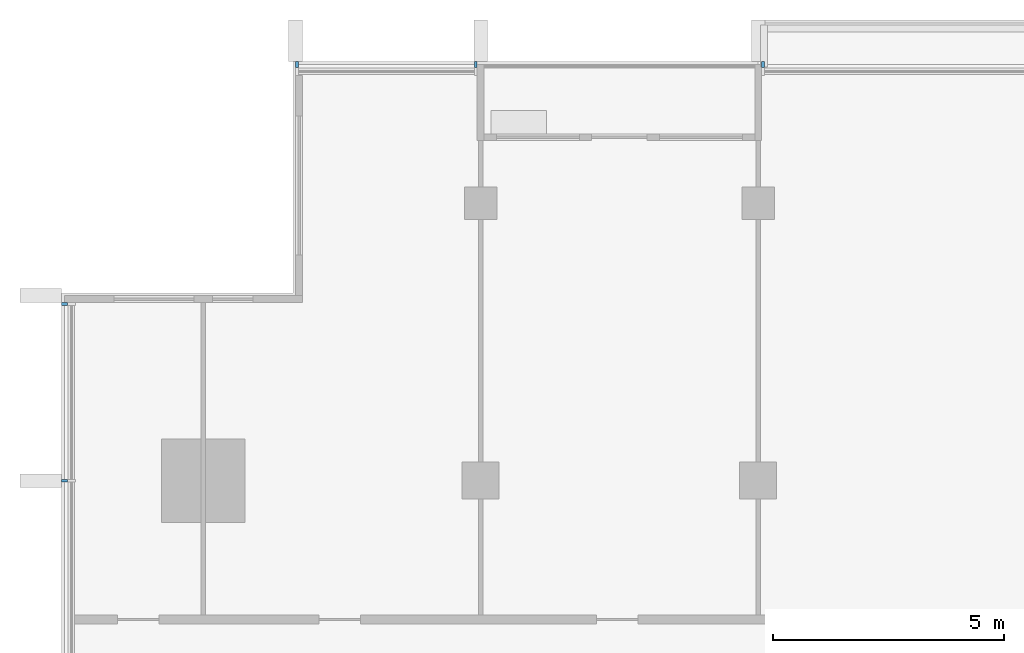
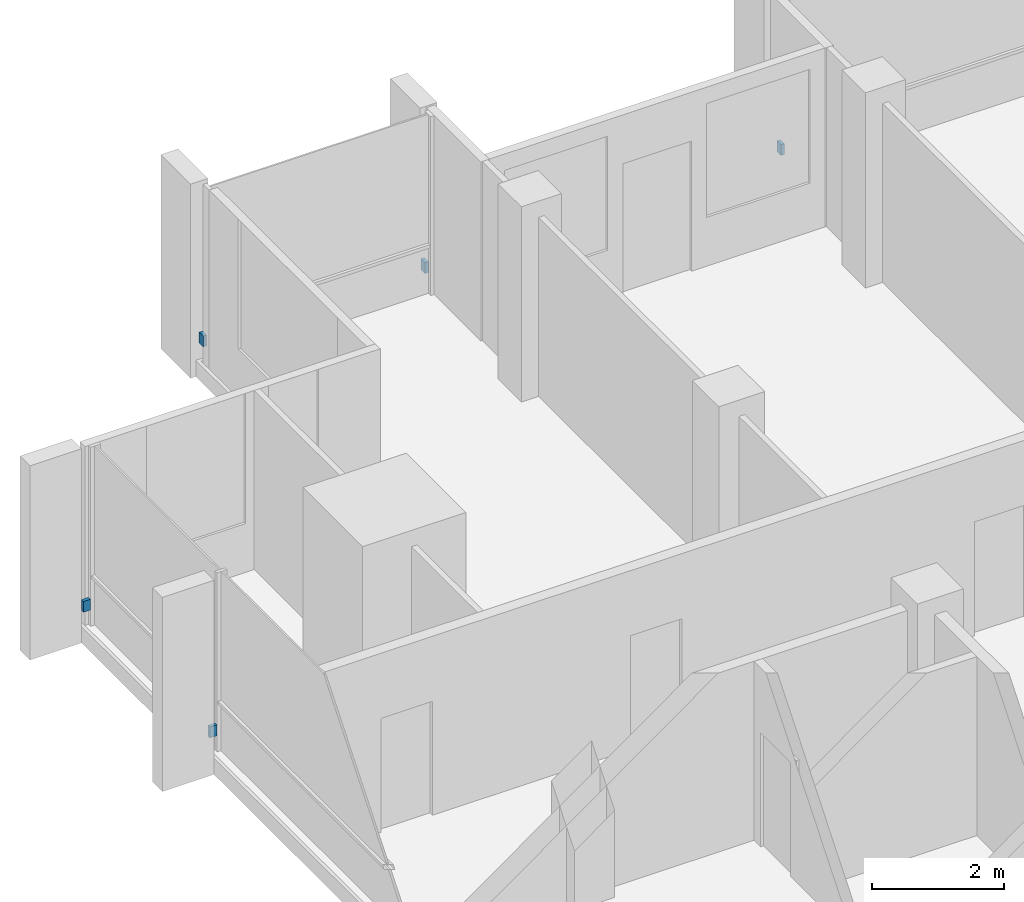
# One storey, part 13 of 15: 5 discrete accessories.
"""IFC4 building model written with IfcOpenShell, lengths in metres."""

from ifc_helpers import new_model, si_unit, direction, frame, origin, origin_2d, place, context, subcontext, project, spatial, rectangle, extrude, material, type_object, element, save


model = new_model("IFC4")

# Units and contexts
model_context = context("Model", 3, precision=1e-05, world=origin(), true_north=direction((0.0, 1.0)))
body_context = subcontext(model_context, "Body", "Model", "MODEL_VIEW")
ifc_project = project(units=[si_unit("LENGTHUNIT", "METRE"), si_unit("AREAUNIT", "SQUARE_METRE"), si_unit("VOLUMEUNIT", "CUBIC_METRE"), si_unit("PLANEANGLEUNIT", "RADIAN"), si_unit("MASSUNIT", "GRAM", prefix="KILO")], contexts=[model_context])

# Site, building, storey
site_placement = place(None, origin())
site = spatial("IfcSite", under=ifc_project, at=site_placement, CompositionType="ELEMENT")
building_placement = place(site_placement, origin())
building = spatial("IfcBuilding", under=site, at=building_placement, Name="Finial Court Residences", CompositionType="ELEMENT")
storey_placement = place(building_placement, frame((0.0, 0.0, 269.89990234375)))
storey = spatial("IfcBuildingStorey", under=building, at=storey_placement, Name="L68", CompositionType="ELEMENT", Elevation=269.89990234375)

# Discrete accessories
ifc_material = material(Name="Stainless steel 316", Category="steel")
discrete_accessory_type = type_object("IfcDiscreteAccessoryType", Name="Fin bracket, stainless steel 60 x 122 x 200", PredefinedType="BRACKET", material=ifc_material)
for number, where, z_axis, x_axis, name in (
    (1, (-14.469970703125, 16.498779296875, 0.30029296875), (0.0, 0.0, 1.0), (1.0, 0.0, 0.0), "E-L68-FIN-N1-BRK"),
    (2, (-10.60498046875, 16.498779296875, 0.30029296875), (0.0, 0.0, 1.0), (1.0, 0.0, 0.0), "E-L68-FIN-N2-BRK"),
    (3, (-4.39501953125, 16.498779296875, 0.30029296875), (0.0, 0.0, 1.0), (1.0, 0.0, 0.0), "E-L68-FIN-N3-BRK"),
):
    element("IfcDiscreteAccessory", number, at=place(storey_placement, frame(where, z_axis=z_axis, x_axis=x_axis)), inside=storey, type_object=discrete_accessory_type, Name=name, PredefinedType="BRACKET", context=body_context, shape_type="SweptSolid", body=[
        extrude(rectangle(XDim=0.06005859375, YDim=0.12255859375, at=origin_2d()), origin(), (0.0, 0.0, 1.0), 0.199951171875),
    ])
for number, where, z_axis, x_axis, name in (
    (4, (-19.498779296875, 7.5, 0.30029296875), (0.0, 0.0, 1.0), (1.0, 0.0, 0.0), "E-L68-FIN-W25-BRK"),
    (5, (-19.498779296875, 11.320068359375, 0.30029296875), (0.0, 0.0, 1.0), (1.0, 0.0, 0.0), "E-L68-FIN-W26-BRK"),
):
    element("IfcDiscreteAccessory", number, at=place(storey_placement, frame(where, z_axis=z_axis, x_axis=x_axis)), inside=storey, type_object=discrete_accessory_type, Name=name, PredefinedType="BRACKET", context=body_context, shape_type="SweptSolid", body=[
        extrude(rectangle(XDim=0.12255859375, YDim=0.06005859375, at=origin_2d()), origin(), (0.0, 0.0, 1.0), 0.199951171875),
    ])

save(model, "model.ifc")
